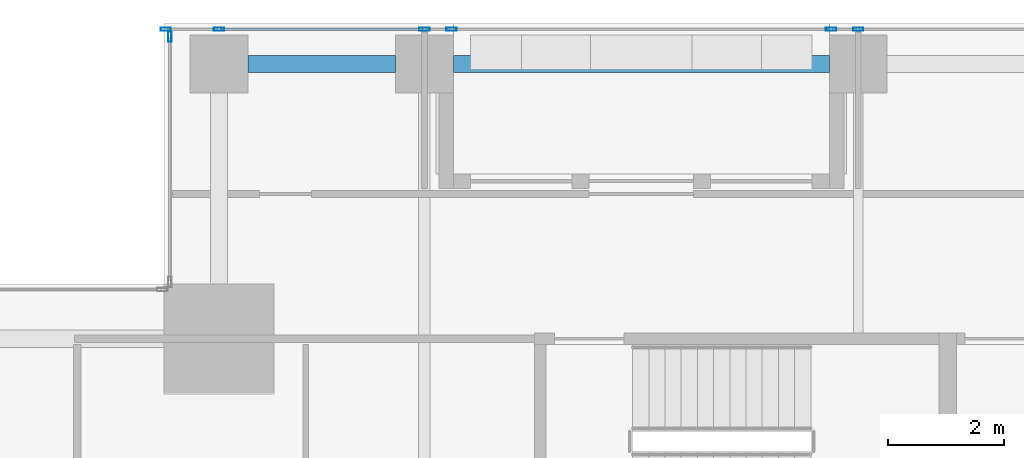
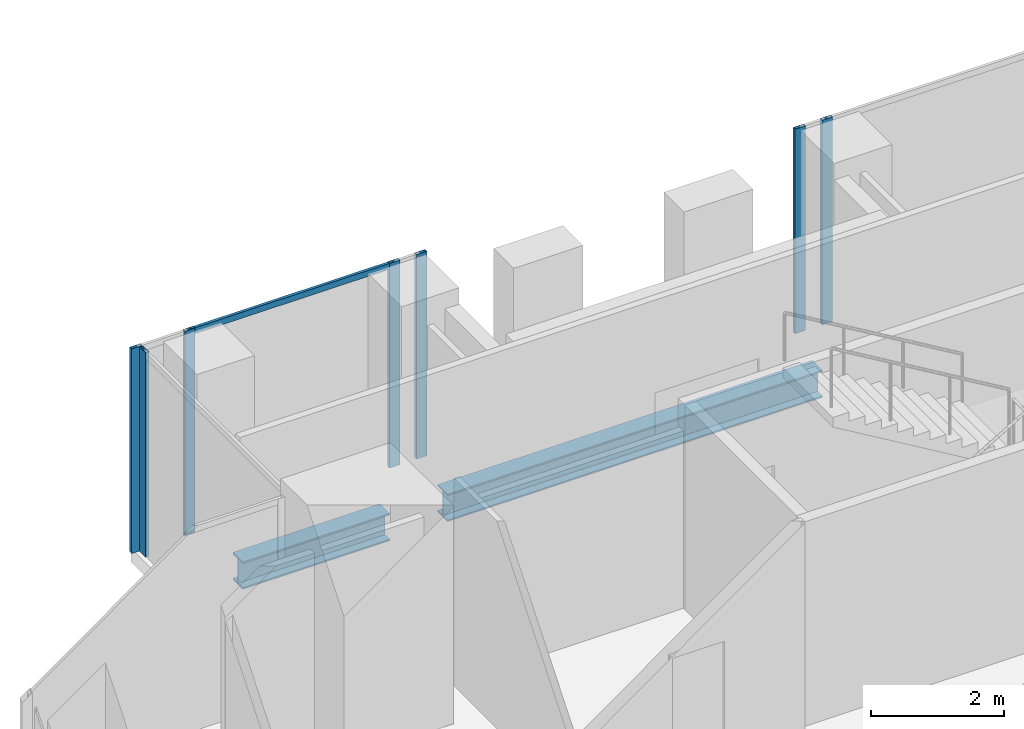
# One storey, part 22 of 37: 8 members, 2 beams, 3 elements without a shape of their own.
"""IFC4 building model written with IfcOpenShell, lengths in metres."""

from ifc_helpers import new_model, si_unit, direction, frame, origin, origin_2d, place, context, subcontext, project, spatial, hollow_rectangle, i_section, extrude, source, transform, mapped, material, material_profile, profile_set, type_object, element, aggregate, save


model = new_model("IFC4")

# Units and contexts
model_context = context("Model", 3, precision=1e-05, world=origin(), true_north=direction((0.0, 1.0)))
body_context = subcontext(model_context, "Body", "Model", "MODEL_VIEW")
ifc_project = project(units=[si_unit("LENGTHUNIT", "METRE"), si_unit("AREAUNIT", "SQUARE_METRE"), si_unit("VOLUMEUNIT", "CUBIC_METRE"), si_unit("PLANEANGLEUNIT", "RADIAN"), si_unit("MASSUNIT", "GRAM", prefix="KILO")], contexts=[model_context])

# Site, building, storey
site_placement = place(None, origin())
site = spatial("IfcSite", under=ifc_project, at=site_placement, CompositionType="ELEMENT")
building_placement = place(site_placement, origin())
building = spatial("IfcBuilding", under=site, at=building_placement, Name="Khomas Fold Tower", CompositionType="ELEMENT")
storey_placement = place(building_placement, frame((0.0, 0.0, 168.699951171875)))
storey = spatial("IfcBuildingStorey", under=building, at=storey_placement, Name="L36", CompositionType="ELEMENT", Elevation=168.699951171875)

# Beams
ifc_material_1 = material(Name="Steel S355", Category="steel")
ifc_material_profile_1 = material_profile(ifc_material_1, i_section(OverallWidth=0.300048828125, OverallDepth=0.5, WebThickness=0.014404296875, FlangeThickness=0.028076171875, at=origin_2d()), Name="HE 500 B")
ifc_profile_set_1 = profile_set([ifc_material_profile_1], Name="Steel S355")
beam_type = type_object("IfcBeamType", Name="HE 500 B spandrel SB3", PredefinedType="SPANDREL", material=ifc_profile_set_1)
shared_shape_1 = source(origin(), body_context, "Body", "SweptSolid", [
    extrude(i_section(OverallWidth=0.300048828125, OverallDepth=0.5, WebThickness=0.014404296875, FlangeThickness=0.028076171875, at=origin_2d()), origin(), (0.0, 0.0, 1.0), 2.550048828125),
])
beam_1_placement = place(storey_placement, frame((8.949951171875, 50.300048828125, -0.5), z_axis=(1.0, 0.0, 0.0), x_axis=(0.0, 1.0, 0.0)))
element("IfcBeam", 1, at=beam_1_placement, inside=storey, type_object=beam_type, Name="SB3", PredefinedType="SPANDREL", context=body_context, shape_type="MappedRepresentation", body=[
    mapped(shared_shape_1, transform((0.0, 0.0, 0.0))),
])
shared_shape_2 = source(origin(), body_context, "Body", "SweptSolid", [
    extrude(i_section(OverallWidth=0.300048828125, OverallDepth=0.5, WebThickness=0.014404296875, FlangeThickness=0.028076171875, at=origin_2d()), origin(), (0.0, 0.0, 1.0), 6.5),
])
beam_2_placement = place(storey_placement, frame((12.5, 50.300048828125, -0.5), z_axis=(1.0, 0.0, 0.0), x_axis=(0.0, 1.0, 0.0)))
element("IfcBeam", 2, at=beam_2_placement, inside=storey, type_object=beam_type, Name="SB3", PredefinedType="SPANDREL", context=body_context, shape_type="MappedRepresentation", body=[
    mapped(shared_shape_2, transform((0.0, 0.0, 0.0))),
])

# Curtain wall, members
ifc_material_2 = material(Name="Aluminium framed double glazing", Category="aluminium")
curtain_wall_type = type_object("IfcCurtainWallType", Name="SK-Unitised clear-glass wall, office floors CW2", PredefinedType="NOTDEFINED", material=ifc_material_2)
curtain_wall_1_placement = place(storey_placement, origin())
curtain_wall_1 = element("IfcCurtainWall", 3, at=curtain_wall_1_placement, inside=storey, type_object=curtain_wall_type, Name="CW2 run L36 15-0", PredefinedType="NOTDEFINED")
ifc_material_3 = material(Name="Aluminium", Category="aluminium")
ifc_material_profile_2 = material_profile(ifc_material_3, hollow_rectangle(XDim=0.06005859375, YDim=0.179931640625, WallThickness=0.00390625, at=origin_2d()), Name="SK-Unitised clear-glass wall, office floors mullion CW2-M")
ifc_profile_set_2 = profile_set([ifc_material_profile_2], Name="Aluminium")
member_type_1 = type_object("IfcMemberType", Name="SK-Unitised clear-glass wall, office floors mullion CW2-M", PredefinedType="MULLION", material=ifc_profile_set_2)
shared_shape_3 = source(origin(), body_context, "Body", "SweptSolid", [
    extrude(hollow_rectangle(XDim=0.06005859375, YDim=0.179931640625, WallThickness=0.00390625, at=origin_2d()), origin(), (0.0, 0.0, 1.0), 3.75),
])
member_1_placement = place(storey_placement, frame((19.5, 50.89990234375, 0.0), z_axis=(0.0, 0.0, 1.0), x_axis=(0.0, -1.0, 0.0)))
member_1 = element("IfcMember", 4, at=member_1_placement, type_object=member_type_1, Name="CW2 mullion 3", PredefinedType="MULLION", context=body_context, shape_type="MappedRepresentation", body=[
    mapped(shared_shape_3, transform((0.0, 0.0, 0.0))),
])
member_2_placement = place(storey_placement, frame((19.030029296875, 50.89990234375, 0.0), z_axis=(0.0, 0.0, 1.0), x_axis=(0.0, -1.0, 0.0)))
member_2 = element("IfcMember", 5, at=member_2_placement, type_object=member_type_1, Name="CW2 mullion 4", PredefinedType="MULLION", context=body_context, shape_type="MappedRepresentation", body=[
    mapped(shared_shape_3, transform((0.0, 0.0, 0.0))),
])
aggregate(curtain_wall_1, [member_1, member_2])

curtain_wall_2_placement = place(storey_placement, origin())
curtain_wall_2 = element("IfcCurtainWall", 6, at=curtain_wall_2_placement, inside=storey, type_object=curtain_wall_type, Name="CW2 run L36 15-1", PredefinedType="NOTDEFINED")
member_3_placement = place(storey_placement, frame((12.469970703125, 50.89990234375, 0.0), z_axis=(0.0, 0.0, 1.0), x_axis=(0.0, -1.0, 0.0)))
member_3 = element("IfcMember", 7, at=member_3_placement, type_object=member_type_1, Name="CW2 mullion 1", PredefinedType="MULLION", context=body_context, shape_type="MappedRepresentation", body=[
    mapped(shared_shape_3, transform((0.0, 0.0, 0.0))),
])
member_4_placement = place(storey_placement, frame((12.0, 50.89990234375, 0.0), z_axis=(0.0, 0.0, 1.0), x_axis=(0.0, -1.0, 0.0)))
member_4 = element("IfcMember", 8, at=member_4_placement, type_object=member_type_1, Name="CW2 mullion 2", PredefinedType="MULLION", context=body_context, shape_type="MappedRepresentation", body=[
    mapped(shared_shape_3, transform((0.0, 0.0, 0.0))),
])
member_5_placement = place(storey_placement, frame((8.449951171875, 50.89990234375, 0.0), z_axis=(0.0, 0.0, 1.0), x_axis=(0.0, -1.0, 0.0)))
member_5 = element("IfcMember", 9, at=member_5_placement, type_object=member_type_1, Name="CW2 mullion 3", PredefinedType="MULLION", context=body_context, shape_type="MappedRepresentation", body=[
    mapped(shared_shape_3, transform((0.0, 0.0, 0.0))),
])
member_6_placement = place(storey_placement, frame((7.530029296875, 50.89990234375, 0.0), z_axis=(0.0, 0.0, 1.0), x_axis=(0.0, -1.0, 0.0)))
member_6 = element("IfcMember", 10, at=member_6_placement, type_object=member_type_1, Name="CW2 mullion 4", PredefinedType="MULLION", context=body_context, shape_type="MappedRepresentation", body=[
    mapped(shared_shape_3, transform((0.0, 0.0, 0.0))),
])

# Curtain wall, member
curtain_wall_3_placement = place(storey_placement, origin())
curtain_wall_3 = element("IfcCurtainWall", 11, at=curtain_wall_3_placement, inside=storey, type_object=curtain_wall_type, Name="CW2 corner return L36 16", PredefinedType="NOTDEFINED")
member_7_placement = place(storey_placement, frame((7.60009765625, 50.77001953125, 0.0), z_axis=(0.0, 0.0, 1.0), x_axis=(1.0, 0.0, 0.0)))
member_7 = element("IfcMember", 12, at=member_7_placement, type_object=member_type_1, Name="CW2 mullion 1", PredefinedType="MULLION", context=body_context, shape_type="MappedRepresentation", body=[
    mapped(shared_shape_3, transform((0.0, 0.0, 0.0))),
])
aggregate(curtain_wall_3, [member_7])

# Member
ifc_material_4 = material(Name="Aluminium", Category="aluminium")
ifc_material_profile_3 = material_profile(ifc_material_4, hollow_rectangle(XDim=0.050048828125, YDim=0.110107421875, WallThickness=0.00390625, at=origin_2d()), Name="SK-Unitised clear-glass wall, office floors transom CW2-T")
ifc_profile_set_3 = profile_set([ifc_material_profile_3], Name="Aluminium")
member_type_2 = type_object("IfcMemberType", Name="SK-Unitised clear-glass wall, office floors transom CW2-T", PredefinedType="USERDEFINED", material=ifc_profile_set_3)
shared_shape_4 = source(origin(), body_context, "Body", "SweptSolid", [
    extrude(hollow_rectangle(XDim=0.050048828125, YDim=0.110107421875, WallThickness=0.00390625, at=origin_2d()), origin(), (0.0, 0.0, 1.0), 3.489990234375),
])
member_8_placement = place(storey_placement, frame((11.969970703125, 50.89990234375, 3.695068359375), z_axis=(-1.0, 0.0, 0.0), x_axis=(0.0, -1.0, 0.0)))
member_8 = element("IfcMember", 13, at=member_8_placement, type_object=member_type_2, Name="CW2 transom 2", ObjectType="TRANSOM", PredefinedType="USERDEFINED", context=body_context, shape_type="MappedRepresentation", body=[
    mapped(shared_shape_4, transform((0.0, 0.0, 0.0))),
])

aggregate(curtain_wall_2, [member_3, member_4, member_5, member_6, member_8])

save(model, "model.ifc")
